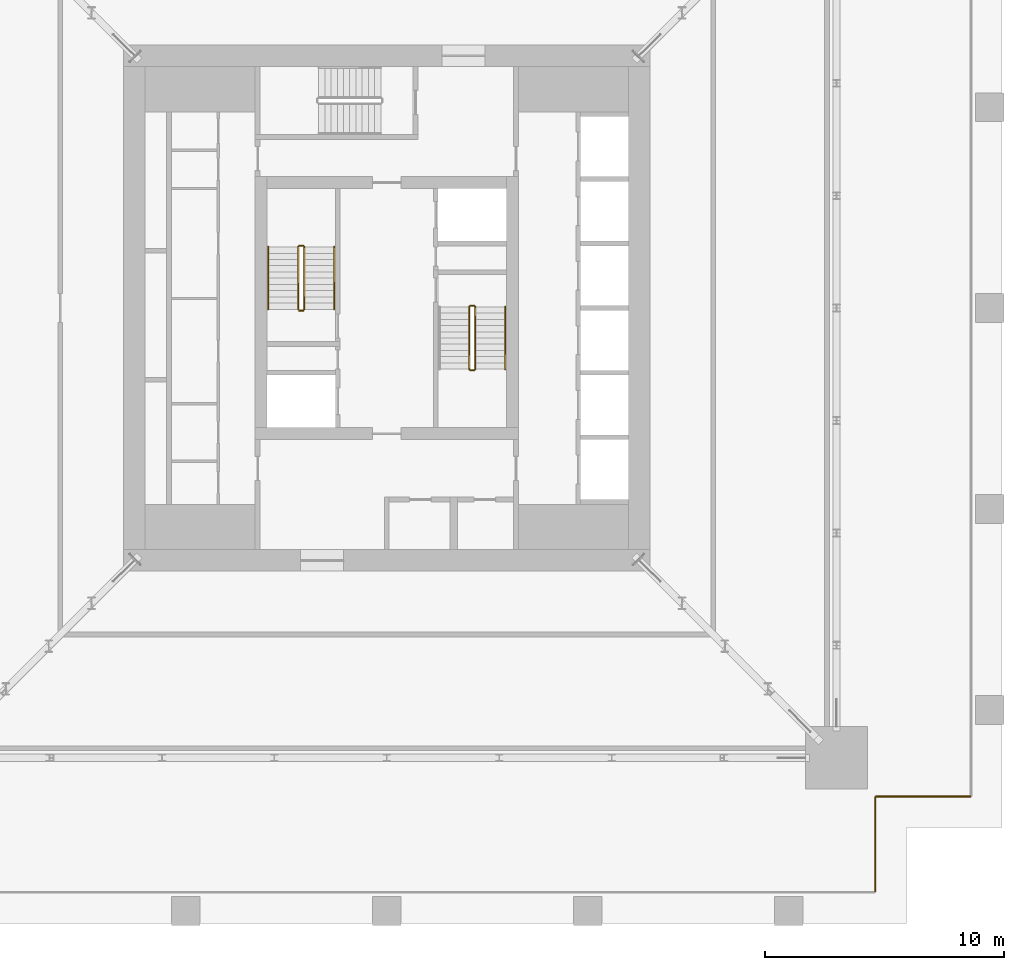
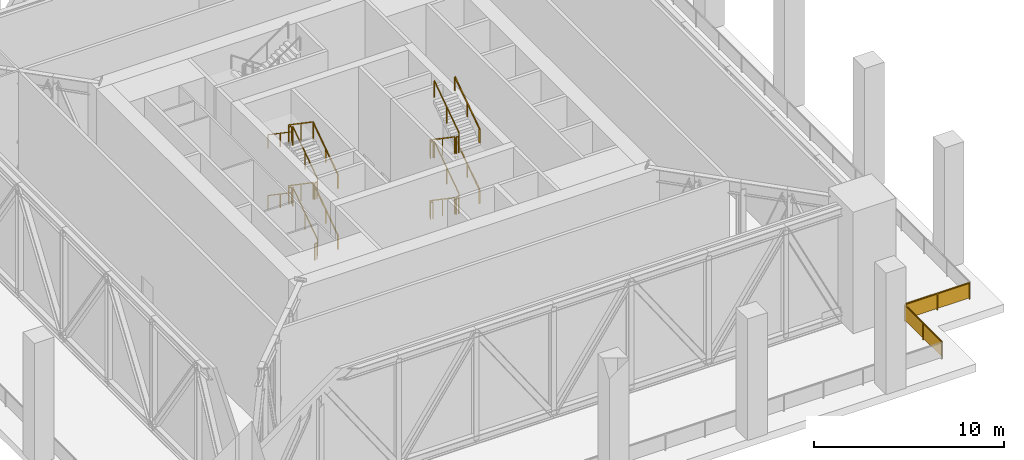
# One storey, part 14 of 17: 24 railings.
"""IFC4 building model written with IfcOpenShell, lengths in metres."""

from ifc_helpers import new_model, si_unit, direction, frame, origin, origin_2d, place, context, subcontext, project, spatial, rectangle, extrude, material, type_object, element, save


model = new_model("IFC4")

# Units and contexts
model_context = context("Model", 3, precision=1e-05, world=origin(), true_north=direction((0.0, 1.0)))
body_context = subcontext(model_context, "Body", "Model", "MODEL_VIEW")
ifc_project = project(units=[si_unit("LENGTHUNIT", "METRE"), si_unit("AREAUNIT", "SQUARE_METRE"), si_unit("VOLUMEUNIT", "CUBIC_METRE"), si_unit("PLANEANGLEUNIT", "RADIAN"), si_unit("MASSUNIT", "GRAM", prefix="KILO")], contexts=[model_context])

# Site, building, storey
site_placement = place(None, origin())
site = spatial("IfcSite", under=ifc_project, at=site_placement, CompositionType="ELEMENT")
building_placement = place(site_placement, origin())
building = spatial("IfcBuilding", under=site, at=building_placement, Name="Khepri Terraces", CompositionType="ELEMENT")
storey_placement = place(building_placement, frame((0.0, 0.0, 180.60009765625)))
storey = spatial("IfcBuildingStorey", under=building, at=storey_placement, Name="L43", CompositionType="ELEMENT", Elevation=180.60009765625)

# Railings
ifc_material_1 = material(Name="Stainless steel grade 316", Category="steel")
railing_type_1 = type_object("IfcRailingType", Name="GRD-BAL-1100", PredefinedType="GUARDRAIL", material=ifc_material_1)
railing_1_placement = place(storey_placement, frame((20.419921875, -24.3798828125, 0.0)))
element("IfcRailing", 1, at=railing_1_placement, inside=storey, type_object=railing_type_1, Name="Edge guard L43", PredefinedType="GUARDRAIL", context=body_context, shape_type="SweptSolid", body=[
    extrude(rectangle(XDim=0.050048828125, YDim=0.06005859375, at=origin_2d()), frame((0.0, 0.0, 1.070068359375), z_axis=(0.0, 1.0, 0.0), x_axis=(-1.0, 0.0, 0.0)), (0.0, 0.0, 1.0), 3.919921875),
    extrude(rectangle(XDim=1.909912109375, YDim=0.011962890625, at=origin_2d()), frame((0.0, 0.97998046875, 0.10009765625), z_axis=(0.0, 0.0, 1.0), x_axis=(0.0, 1.0, 0.0)), (0.0, 0.0, 1.0), 0.93994140625),
    extrude(rectangle(XDim=1.909912109375, YDim=0.011962890625, at=origin_2d()), frame((0.0, 2.93994140625, 0.10009765625), z_axis=(0.0, 0.0, 1.0), x_axis=(0.0, 1.0, 0.0)), (0.0, 0.0, 1.0), 0.93994140625),
    extrude(rectangle(XDim=0.050048828125, YDim=0.050048828125, at=origin_2d()), origin(), (0.0, 0.0, 1.0), 1.0400390625),
    extrude(rectangle(XDim=0.050048828125, YDim=0.050048828125, at=origin_2d()), frame((0.0, 1.9599609375, 0.0)), (0.0, 0.0, 1.0), 1.0400390625),
    extrude(rectangle(XDim=0.050048828125, YDim=0.050048828125, at=origin_2d()), frame((0.0, 3.919921875, 0.0)), (0.0, 0.0, 1.0), 1.0400390625),
])
railing_2_placement = place(storey_placement, frame((20.4599609375, -20.419921875, 0.0)))
element("IfcRailing", 2, at=railing_2_placement, inside=storey, type_object=railing_type_1, Name="Edge guard L43", PredefinedType="GUARDRAIL", context=body_context, shape_type="SweptSolid", body=[
    extrude(rectangle(XDim=0.050048828125, YDim=0.06005859375, at=origin_2d()), frame((0.0, 0.0, 1.070068359375), z_axis=(1.0, 0.0, 0.0), x_axis=(0.0, 1.0, 0.0)), (0.0, 0.0, 1.0), 3.919921875),
    extrude(rectangle(XDim=1.909912109375, YDim=0.011962890625, at=origin_2d()), frame((0.97998046875, 0.0, 0.10009765625), z_axis=(0.0, 0.0, 1.0), x_axis=(1.0, 0.0, 0.0)), (0.0, 0.0, 1.0), 0.93994140625),
    extrude(rectangle(XDim=1.909912109375, YDim=0.011962890625, at=origin_2d()), frame((2.93994140625, 0.0, 0.10009765625), z_axis=(0.0, 0.0, 1.0), x_axis=(1.0, 0.0, 0.0)), (0.0, 0.0, 1.0), 0.93994140625),
    extrude(rectangle(XDim=0.050048828125, YDim=0.050048828125, at=origin_2d()), origin(), (0.0, 0.0, 1.0), 1.0400390625),
    extrude(rectangle(XDim=0.050048828125, YDim=0.050048828125, at=origin_2d()), frame((1.9599609375, 0.0, 0.0)), (0.0, 0.0, 1.0), 1.0400390625),
    extrude(rectangle(XDim=0.050048828125, YDim=0.050048828125, at=origin_2d()), frame((3.919921875, 0.0, 0.0)), (0.0, 0.0, 1.0), 1.0400390625),
])
ifc_material_2 = material(Name="Stainless steel 316", Category="steel")
railing_type_2 = type_object("IfcRailingType", Name="RL-CORE-GUARD", PredefinedType="GUARDRAIL", material=ifc_material_2)
railing_3_placement = place(storey_placement, frame((-3.449951171875, -0.050048828125, 0.17724609375)))
element("IfcRailing", 3, at=railing_3_placement, inside=storey, type_object=railing_type_2, Name="L43 ST-1 stair guard 1", PredefinedType="GUARDRAIL", context=body_context, shape_type="SweptSolid", body=[
    extrude(rectangle(XDim=0.050048828125, YDim=0.06005859375, at=origin_2d()), frame((0.0, 0.0, 1.070068359375), z_axis=(0.0, 0.826240473404, 0.563317565952), x_axis=(-1.0, 0.0, 0.0)), (0.0, 0.0, 1.0), 3.14697265625),
    extrude(rectangle(XDim=0.050048828125, YDim=0.050048828125, at=origin_2d()), origin(), (0.0, 0.0, 1.0), 1.0400390625),
    extrude(rectangle(XDim=0.050048828125, YDim=0.050048828125, at=origin_2d()), frame((0.0, 1.300048828125, 0.88623046875)), (0.0, 0.0, 1.0), 1.0400390625),
    extrude(rectangle(XDim=0.050048828125, YDim=0.050048828125, at=origin_2d()), frame((0.0, 2.60009765625, 1.772705078125)), (0.0, 0.0, 1.0), 1.0400390625),
])
railing_4_placement = place(storey_placement, frame((-3.5, 2.60009765625, 1.949951171875)))
element("IfcRailing", 4, at=railing_4_placement, inside=storey, type_object=railing_type_2, Name="L43 ST-1 stair guard 2", PredefinedType="GUARDRAIL", context=body_context, shape_type="SweptSolid", body=[
    extrude(rectangle(XDim=0.050048828125, YDim=0.06005859375, at=origin_2d()), frame((0.0, 0.0, 1.070068359375), z_axis=(-1.0, 0.0, 0.0), x_axis=(0.0, -1.0, 0.0)), (0.0, 0.0, 1.0), 0.14990234375),
    extrude(rectangle(XDim=0.050048828125, YDim=0.050048828125, at=origin_2d()), origin(), (0.0, 0.0, 1.0), 1.0400390625),
    extrude(rectangle(XDim=0.050048828125, YDim=0.050048828125, at=origin_2d()), frame((-0.14990234375, 0.0, 0.0)), (0.0, 0.0, 1.0), 1.0400390625),
])
railing_5_placement = place(storey_placement, frame((-3.699951171875, 2.550048828125, 2.127197265625)))
element("IfcRailing", 5, at=railing_5_placement, inside=storey, type_object=railing_type_2, Name="L43 ST-1 stair guard 3", PredefinedType="GUARDRAIL", context=body_context, shape_type="SweptSolid", body=[
    extrude(rectangle(XDim=0.050048828125, YDim=0.06005859375, at=origin_2d()), frame((0.0, 0.0, 1.070068359375), z_axis=(0.0, -0.826240473404, 0.563317565952), x_axis=(1.0, 0.0, 0.0)), (0.0, 0.0, 1.0), 3.14697265625),
    extrude(rectangle(XDim=0.050048828125, YDim=0.050048828125, at=origin_2d()), origin(), (0.0, 0.0, 1.0), 1.0400390625),
    extrude(rectangle(XDim=0.050048828125, YDim=0.050048828125, at=origin_2d()), frame((0.0, -1.300048828125, 0.88623046875)), (0.0, 0.0, 1.0), 1.0400390625),
    extrude(rectangle(XDim=0.050048828125, YDim=0.050048828125, at=origin_2d()), frame((0.0, -2.60009765625, 1.772705078125)), (0.0, 0.0, 1.0), 1.0400390625),
])
railing_6_placement = place(storey_placement, frame((-3.5, -0.10009765625, 3.89990234375)))
element("IfcRailing", 6, at=railing_6_placement, inside=storey, type_object=railing_type_2, Name="L43 ST-1 stair guard 4", PredefinedType="GUARDRAIL", context=body_context, shape_type="SweptSolid", body=[
    extrude(rectangle(XDim=0.050048828125, YDim=0.06005859375, at=origin_2d()), frame((0.0, 0.0, 1.070068359375), z_axis=(-1.0, 0.0, 0.0), x_axis=(0.0, -1.0, 0.0)), (0.0, 0.0, 1.0), 0.14990234375),
    extrude(rectangle(XDim=0.050048828125, YDim=0.050048828125, at=origin_2d()), origin(), (0.0, 0.0, 1.0), 1.0400390625),
    extrude(rectangle(XDim=0.050048828125, YDim=0.050048828125, at=origin_2d()), frame((-0.14990234375, 0.0, 0.0)), (0.0, 0.0, 1.0), 1.0400390625),
])
railing_7_placement = place(storey_placement, frame((-3.449951171875, -0.050048828125, 4.0771484375)))
element("IfcRailing", 7, at=railing_7_placement, inside=storey, type_object=railing_type_2, Name="L43 ST-1 stair guard 5", PredefinedType="GUARDRAIL", context=body_context, shape_type="SweptSolid", body=[
    extrude(rectangle(XDim=0.050048828125, YDim=0.06005859375, at=origin_2d()), frame((0.0, 0.0, 1.070068359375), z_axis=(0.0, 0.826240473404, 0.563317565952), x_axis=(-1.0, 0.0, 0.0)), (0.0, 0.0, 1.0), 3.14697265625),
    extrude(rectangle(XDim=0.050048828125, YDim=0.050048828125, at=origin_2d()), origin(), (0.0, 0.0, 1.0), 1.0400390625),
    extrude(rectangle(XDim=0.050048828125, YDim=0.050048828125, at=origin_2d()), frame((0.0, 1.300048828125, 0.88623046875)), (0.0, 0.0, 1.0), 1.0400390625),
    extrude(rectangle(XDim=0.050048828125, YDim=0.050048828125, at=origin_2d()), frame((0.0, 2.60009765625, 1.772705078125)), (0.0, 0.0, 1.0), 1.0400390625),
])
railing_8_placement = place(storey_placement, frame((-3.5, 2.60009765625, 5.849853515625)))
element("IfcRailing", 8, at=railing_8_placement, inside=storey, type_object=railing_type_2, Name="L43 ST-1 stair guard 6", PredefinedType="GUARDRAIL", context=body_context, shape_type="SweptSolid", body=[
    extrude(rectangle(XDim=0.050048828125, YDim=0.06005859375, at=origin_2d()), frame((0.0, 0.0, 1.070068359375), z_axis=(-1.0, 0.0, 0.0), x_axis=(0.0, -1.0, 0.0)), (0.0, 0.0, 1.0), 0.14990234375),
    extrude(rectangle(XDim=0.050048828125, YDim=0.050048828125, at=origin_2d()), origin(), (0.0, 0.0, 1.0), 1.0400390625),
    extrude(rectangle(XDim=0.050048828125, YDim=0.050048828125, at=origin_2d()), frame((-0.14990234375, 0.0, 0.0)), (0.0, 0.0, 1.0), 1.0400390625),
])
railing_9_placement = place(storey_placement, frame((-3.699951171875, 2.550048828125, 6.027099609375)))
element("IfcRailing", 9, at=railing_9_placement, inside=storey, type_object=railing_type_2, Name="L43 ST-1 stair guard 7", PredefinedType="GUARDRAIL", context=body_context, shape_type="SweptSolid", body=[
    extrude(rectangle(XDim=0.050048828125, YDim=0.06005859375, at=origin_2d()), frame((0.0, 0.0, 1.070068359375), z_axis=(0.0, -0.826240473404, 0.563317565952), x_axis=(1.0, 0.0, 0.0)), (0.0, 0.0, 1.0), 3.14697265625),
    extrude(rectangle(XDim=0.050048828125, YDim=0.050048828125, at=origin_2d()), origin(), (0.0, 0.0, 1.0), 1.0400390625),
    extrude(rectangle(XDim=0.050048828125, YDim=0.050048828125, at=origin_2d()), frame((0.0, -1.300048828125, 0.88623046875)), (0.0, 0.0, 1.0), 1.0400390625),
    extrude(rectangle(XDim=0.050048828125, YDim=0.050048828125, at=origin_2d()), frame((0.0, -2.60009765625, 1.772705078125)), (0.0, 0.0, 1.0), 1.0400390625),
])
railing_10_placement = place(storey_placement, frame((-3.5, -0.10009765625, 0.0)))
element("IfcRailing", 10, at=railing_10_placement, inside=storey, type_object=railing_type_2, Name="L43 ST-1 stair guard 8", PredefinedType="GUARDRAIL", context=body_context, shape_type="SweptSolid", body=[
    extrude(rectangle(XDim=0.050048828125, YDim=0.06005859375, at=origin_2d()), frame((0.0, 0.0, 1.070068359375), z_axis=(-1.0, 0.0, 0.0), x_axis=(0.0, -1.0, 0.0)), (0.0, 0.0, 1.0), 0.14990234375),
    extrude(rectangle(XDim=0.050048828125, YDim=0.050048828125, at=origin_2d()), origin(), (0.0, 0.0, 1.0), 1.0400390625),
    extrude(rectangle(XDim=0.050048828125, YDim=0.050048828125, at=origin_2d()), frame((-0.14990234375, 0.0, 0.0)), (0.0, 0.0, 1.0), 1.0400390625),
])
railing_11_placement = place(storey_placement, frame((3.449951171875, 0.050048828125, 0.17724609375)))
element("IfcRailing", 11, at=railing_11_placement, inside=storey, type_object=railing_type_2, Name="L43 ST-2 stair guard 1", PredefinedType="GUARDRAIL", context=body_context, shape_type="SweptSolid", body=[
    extrude(rectangle(XDim=0.050048828125, YDim=0.06005859375, at=origin_2d()), frame((0.0, 0.0, 1.070068359375), z_axis=(0.0, -0.826240473404, 0.563317565952), x_axis=(1.0, 0.0, 0.0)), (0.0, 0.0, 1.0), 3.14697265625),
    extrude(rectangle(XDim=0.050048828125, YDim=0.050048828125, at=origin_2d()), origin(), (0.0, 0.0, 1.0), 1.0400390625),
    extrude(rectangle(XDim=0.050048828125, YDim=0.050048828125, at=origin_2d()), frame((0.0, -1.300048828125, 0.88623046875)), (0.0, 0.0, 1.0), 1.0400390625),
    extrude(rectangle(XDim=0.050048828125, YDim=0.050048828125, at=origin_2d()), frame((0.0, -2.60009765625, 1.772705078125)), (0.0, 0.0, 1.0), 1.0400390625),
])
railing_12_placement = place(storey_placement, frame((3.5, -2.60009765625, 1.949951171875)))
element("IfcRailing", 12, at=railing_12_placement, inside=storey, type_object=railing_type_2, Name="L43 ST-2 stair guard 2", PredefinedType="GUARDRAIL", context=body_context, shape_type="SweptSolid", body=[
    extrude(rectangle(XDim=0.050048828125, YDim=0.06005859375, at=origin_2d()), frame((0.0, 0.0, 1.070068359375), z_axis=(1.0, 0.0, 0.0), x_axis=(0.0, 1.0, 0.0)), (0.0, 0.0, 1.0), 0.14990234375),
    extrude(rectangle(XDim=0.050048828125, YDim=0.050048828125, at=origin_2d()), origin(), (0.0, 0.0, 1.0), 1.0400390625),
    extrude(rectangle(XDim=0.050048828125, YDim=0.050048828125, at=origin_2d()), frame((0.14990234375, 0.0, 0.0)), (0.0, 0.0, 1.0), 1.0400390625),
])
railing_13_placement = place(storey_placement, frame((3.699951171875, -2.550048828125, 2.127197265625)))
element("IfcRailing", 13, at=railing_13_placement, inside=storey, type_object=railing_type_2, Name="L43 ST-2 stair guard 3", PredefinedType="GUARDRAIL", context=body_context, shape_type="SweptSolid", body=[
    extrude(rectangle(XDim=0.050048828125, YDim=0.06005859375, at=origin_2d()), frame((0.0, 0.0, 1.070068359375), z_axis=(0.0, 0.826240473404, 0.563317565952), x_axis=(-1.0, 0.0, 0.0)), (0.0, 0.0, 1.0), 3.14697265625),
    extrude(rectangle(XDim=0.050048828125, YDim=0.050048828125, at=origin_2d()), origin(), (0.0, 0.0, 1.0), 1.0400390625),
    extrude(rectangle(XDim=0.050048828125, YDim=0.050048828125, at=origin_2d()), frame((0.0, 1.300048828125, 0.88623046875)), (0.0, 0.0, 1.0), 1.0400390625),
    extrude(rectangle(XDim=0.050048828125, YDim=0.050048828125, at=origin_2d()), frame((0.0, 2.60009765625, 1.772705078125)), (0.0, 0.0, 1.0), 1.0400390625),
])
railing_14_placement = place(storey_placement, frame((3.5, 0.10009765625, 3.89990234375)))
element("IfcRailing", 14, at=railing_14_placement, inside=storey, type_object=railing_type_2, Name="L43 ST-2 stair guard 4", PredefinedType="GUARDRAIL", context=body_context, shape_type="SweptSolid", body=[
    extrude(rectangle(XDim=0.050048828125, YDim=0.06005859375, at=origin_2d()), frame((0.0, 0.0, 1.070068359375), z_axis=(1.0, 0.0, 0.0), x_axis=(0.0, 1.0, 0.0)), (0.0, 0.0, 1.0), 0.14990234375),
    extrude(rectangle(XDim=0.050048828125, YDim=0.050048828125, at=origin_2d()), origin(), (0.0, 0.0, 1.0), 1.0400390625),
    extrude(rectangle(XDim=0.050048828125, YDim=0.050048828125, at=origin_2d()), frame((0.14990234375, 0.0, 0.0)), (0.0, 0.0, 1.0), 1.0400390625),
])
railing_15_placement = place(storey_placement, frame((3.449951171875, 0.050048828125, 4.0771484375)))
element("IfcRailing", 15, at=railing_15_placement, inside=storey, type_object=railing_type_2, Name="L43 ST-2 stair guard 5", PredefinedType="GUARDRAIL", context=body_context, shape_type="SweptSolid", body=[
    extrude(rectangle(XDim=0.050048828125, YDim=0.06005859375, at=origin_2d()), frame((0.0, 0.0, 1.070068359375), z_axis=(0.0, -0.826240473404, 0.563317565952), x_axis=(1.0, 0.0, 0.0)), (0.0, 0.0, 1.0), 3.14697265625),
    extrude(rectangle(XDim=0.050048828125, YDim=0.050048828125, at=origin_2d()), origin(), (0.0, 0.0, 1.0), 1.0400390625),
    extrude(rectangle(XDim=0.050048828125, YDim=0.050048828125, at=origin_2d()), frame((0.0, -1.300048828125, 0.88623046875)), (0.0, 0.0, 1.0), 1.0400390625),
    extrude(rectangle(XDim=0.050048828125, YDim=0.050048828125, at=origin_2d()), frame((0.0, -2.60009765625, 1.772705078125)), (0.0, 0.0, 1.0), 1.0400390625),
])
railing_16_placement = place(storey_placement, frame((3.5, -2.60009765625, 5.849853515625)))
element("IfcRailing", 16, at=railing_16_placement, inside=storey, type_object=railing_type_2, Name="L43 ST-2 stair guard 6", PredefinedType="GUARDRAIL", context=body_context, shape_type="SweptSolid", body=[
    extrude(rectangle(XDim=0.050048828125, YDim=0.06005859375, at=origin_2d()), frame((0.0, 0.0, 1.070068359375), z_axis=(1.0, 0.0, 0.0), x_axis=(0.0, 1.0, 0.0)), (0.0, 0.0, 1.0), 0.14990234375),
    extrude(rectangle(XDim=0.050048828125, YDim=0.050048828125, at=origin_2d()), origin(), (0.0, 0.0, 1.0), 1.0400390625),
    extrude(rectangle(XDim=0.050048828125, YDim=0.050048828125, at=origin_2d()), frame((0.14990234375, 0.0, 0.0)), (0.0, 0.0, 1.0), 1.0400390625),
])
railing_17_placement = place(storey_placement, frame((3.699951171875, -2.550048828125, 6.027099609375)))
element("IfcRailing", 17, at=railing_17_placement, inside=storey, type_object=railing_type_2, Name="L43 ST-2 stair guard 7", PredefinedType="GUARDRAIL", context=body_context, shape_type="SweptSolid", body=[
    extrude(rectangle(XDim=0.050048828125, YDim=0.06005859375, at=origin_2d()), frame((0.0, 0.0, 1.070068359375), z_axis=(0.0, 0.826240473404, 0.563317565952), x_axis=(-1.0, 0.0, 0.0)), (0.0, 0.0, 1.0), 3.14697265625),
    extrude(rectangle(XDim=0.050048828125, YDim=0.050048828125, at=origin_2d()), origin(), (0.0, 0.0, 1.0), 1.0400390625),
    extrude(rectangle(XDim=0.050048828125, YDim=0.050048828125, at=origin_2d()), frame((0.0, 1.300048828125, 0.88623046875)), (0.0, 0.0, 1.0), 1.0400390625),
    extrude(rectangle(XDim=0.050048828125, YDim=0.050048828125, at=origin_2d()), frame((0.0, 2.60009765625, 1.772705078125)), (0.0, 0.0, 1.0), 1.0400390625),
])
railing_18_placement = place(storey_placement, frame((3.5, 0.10009765625, 0.0)))
element("IfcRailing", 18, at=railing_18_placement, inside=storey, type_object=railing_type_2, Name="L43 ST-2 stair guard 8", PredefinedType="GUARDRAIL", context=body_context, shape_type="SweptSolid", body=[
    extrude(rectangle(XDim=0.050048828125, YDim=0.06005859375, at=origin_2d()), frame((0.0, 0.0, 1.070068359375), z_axis=(1.0, 0.0, 0.0), x_axis=(0.0, 1.0, 0.0)), (0.0, 0.0, 1.0), 0.14990234375),
    extrude(rectangle(XDim=0.050048828125, YDim=0.050048828125, at=origin_2d()), origin(), (0.0, 0.0, 1.0), 1.0400390625),
    extrude(rectangle(XDim=0.050048828125, YDim=0.050048828125, at=origin_2d()), frame((0.14990234375, 0.0, 0.0)), (0.0, 0.0, 1.0), 1.0400390625),
])
railing_type_3 = type_object("IfcRailingType", Name="RL-CORE-HANDRAIL", PredefinedType="HANDRAIL", material=ifc_material_2)
railing_19_placement = place(storey_placement, frame((-2.199951171875, -0.050048828125, 0.17724609375)))
element("IfcRailing", 19, at=railing_19_placement, inside=storey, type_object=railing_type_3, Name="L43 ST-1 stair handrail 1", PredefinedType="HANDRAIL", context=body_context, shape_type="SweptSolid", body=[
    extrude(rectangle(XDim=0.050048828125, YDim=0.050048828125, at=origin_2d()), frame((0.0, 0.0, 0.875), z_axis=(0.0, 0.826240473404, 0.563317565952), x_axis=(-1.0, 0.0, 0.0)), (0.0, 0.0, 1.0), 3.14697265625),
    extrude(rectangle(XDim=0.050048828125, YDim=0.050048828125, at=origin_2d()), origin(), (0.0, 0.0, 1.0), 0.849853515625),
    extrude(rectangle(XDim=0.050048828125, YDim=0.050048828125, at=origin_2d()), frame((0.0, 1.300048828125, 0.88623046875)), (0.0, 0.0, 1.0), 0.849853515625),
    extrude(rectangle(XDim=0.050048828125, YDim=0.050048828125, at=origin_2d()), frame((0.0, 2.60009765625, 1.772705078125)), (0.0, 0.0, 1.0), 0.849853515625),
])
railing_20_placement = place(storey_placement, frame((-4.949951171875, 2.550048828125, 2.127197265625)))
element("IfcRailing", 20, at=railing_20_placement, inside=storey, type_object=railing_type_3, Name="L43 ST-1 stair handrail 2", PredefinedType="HANDRAIL", context=body_context, shape_type="SweptSolid", body=[
    extrude(rectangle(XDim=0.050048828125, YDim=0.050048828125, at=origin_2d()), frame((0.0, 0.0, 0.875), z_axis=(0.0, -0.826240473404, 0.563317565952), x_axis=(1.0, 0.0, 0.0)), (0.0, 0.0, 1.0), 3.14697265625),
    extrude(rectangle(XDim=0.050048828125, YDim=0.050048828125, at=origin_2d()), origin(), (0.0, 0.0, 1.0), 0.849853515625),
    extrude(rectangle(XDim=0.050048828125, YDim=0.050048828125, at=origin_2d()), frame((0.0, -1.300048828125, 0.88623046875)), (0.0, 0.0, 1.0), 0.849853515625),
    extrude(rectangle(XDim=0.050048828125, YDim=0.050048828125, at=origin_2d()), frame((0.0, -2.60009765625, 1.772705078125)), (0.0, 0.0, 1.0), 0.849853515625),
])
railing_21_placement = place(storey_placement, frame((-2.199951171875, -0.050048828125, 4.0771484375)))
element("IfcRailing", 21, at=railing_21_placement, inside=storey, type_object=railing_type_3, Name="L43 ST-1 stair handrail 3", PredefinedType="HANDRAIL", context=body_context, shape_type="SweptSolid", body=[
    extrude(rectangle(XDim=0.050048828125, YDim=0.050048828125, at=origin_2d()), frame((0.0, 0.0, 0.875), z_axis=(0.0, 0.826240473404, 0.563317565952), x_axis=(-1.0, 0.0, 0.0)), (0.0, 0.0, 1.0), 3.14697265625),
    extrude(rectangle(XDim=0.050048828125, YDim=0.050048828125, at=origin_2d()), origin(), (0.0, 0.0, 1.0), 0.849853515625),
    extrude(rectangle(XDim=0.050048828125, YDim=0.050048828125, at=origin_2d()), frame((0.0, 1.300048828125, 0.88623046875)), (0.0, 0.0, 1.0), 0.849853515625),
    extrude(rectangle(XDim=0.050048828125, YDim=0.050048828125, at=origin_2d()), frame((0.0, 2.60009765625, 1.772705078125)), (0.0, 0.0, 1.0), 0.849853515625),
])
railing_22_placement = place(storey_placement, frame((-4.949951171875, 2.550048828125, 6.027099609375)))
element("IfcRailing", 22, at=railing_22_placement, inside=storey, type_object=railing_type_3, Name="L43 ST-1 stair handrail 4", PredefinedType="HANDRAIL", context=body_context, shape_type="SweptSolid", body=[
    extrude(rectangle(XDim=0.050048828125, YDim=0.050048828125, at=origin_2d()), frame((0.0, 0.0, 0.875), z_axis=(0.0, -0.826240473404, 0.563317565952), x_axis=(1.0, 0.0, 0.0)), (0.0, 0.0, 1.0), 3.14697265625),
    extrude(rectangle(XDim=0.050048828125, YDim=0.050048828125, at=origin_2d()), origin(), (0.0, 0.0, 1.0), 0.849853515625),
    extrude(rectangle(XDim=0.050048828125, YDim=0.050048828125, at=origin_2d()), frame((0.0, -1.300048828125, 0.88623046875)), (0.0, 0.0, 1.0), 0.849853515625),
    extrude(rectangle(XDim=0.050048828125, YDim=0.050048828125, at=origin_2d()), frame((0.0, -2.60009765625, 1.772705078125)), (0.0, 0.0, 1.0), 0.849853515625),
])
for number, where, name in (
    (23, (4.949951171875, -2.550048828125, 2.127197265625), "L43 ST-2 stair handrail 2"),
    (24, (4.949951171875, -2.550048828125, 6.027099609375), "L43 ST-2 stair handrail 4"),
):
    element("IfcRailing", number, at=place(storey_placement, frame(where)), inside=storey, type_object=railing_type_3, Name=name, PredefinedType="HANDRAIL", context=body_context, shape_type="SweptSolid", body=[
        extrude(rectangle(XDim=0.050048828125, YDim=0.050048828125, at=origin_2d()), frame((0.0, 0.0, 0.875), z_axis=(0.0, 0.826240473404, 0.563317565952), x_axis=(-1.0, 0.0, 0.0)), (0.0, 0.0, 1.0), 3.14697265625),
        extrude(rectangle(XDim=0.050048828125, YDim=0.050048828125, at=origin_2d()), origin(), (0.0, 0.0, 1.0), 0.849853515625),
        extrude(rectangle(XDim=0.050048828125, YDim=0.050048828125, at=origin_2d()), frame((0.0, 1.300048828125, 0.88623046875)), (0.0, 0.0, 1.0), 0.849853515625),
        extrude(rectangle(XDim=0.050048828125, YDim=0.050048828125, at=origin_2d()), frame((0.0, 2.60009765625, 1.772705078125)), (0.0, 0.0, 1.0), 0.849853515625),
    ])

save(model, "model.ifc")
